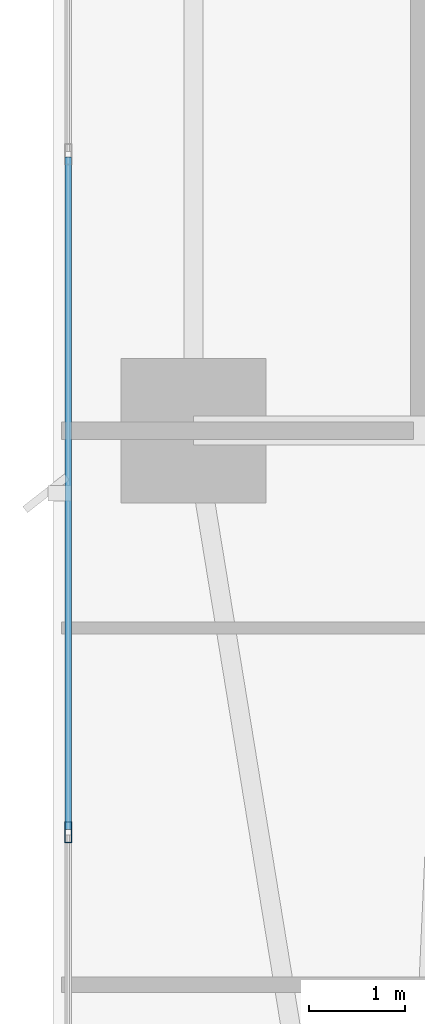
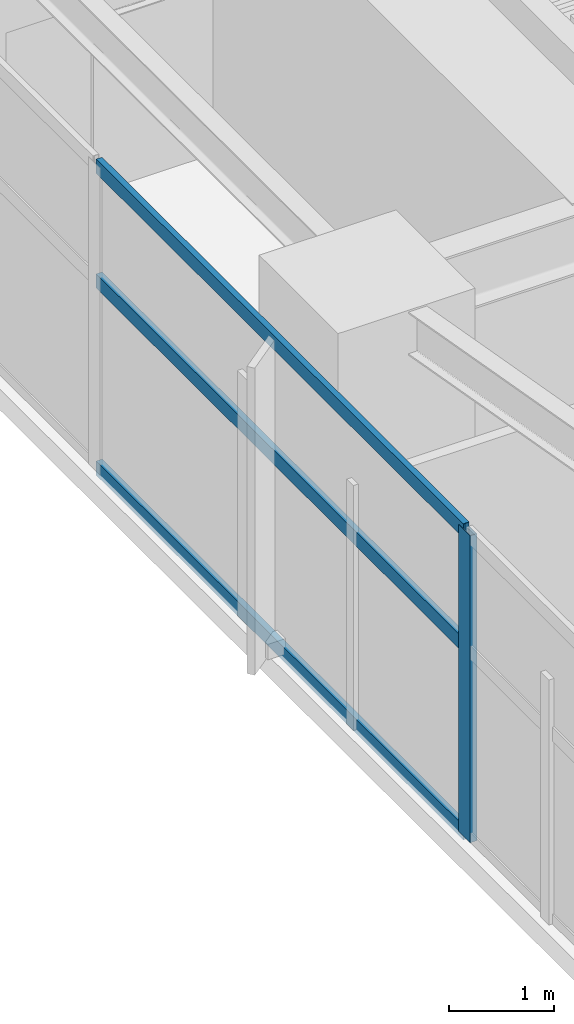
# One storey, part 4 of 29: 4 members, 1 element without a shape of its own.
"""IFC4 building model written with IfcOpenShell, lengths in metres."""

import ifcopenshell
import ifcopenshell.guid

model = None  # the IFC model being written
_history = None  # IfcOwnerHistory: only IFC2X3 demands one
_inside = {}  # id of a spatial element -> (the spatial element, [elements in it])
_under = {}  # id of a project, library or spatial element -> (it, [spatial elements below it])
_declared = {}  # id of a project -> (the project, [libraries it declares])
_typed = {}  # id of a type object -> (the type object, [elements of that type])
_made_of = {}  # id of a material, layer set ... -> (it, [elements and type objects made of it])


def new_model(schema):
    """Start an empty IFC model of exactly this schema.

    Asked for "IFC4X3", IfcOpenShell would pick the latest addendum, in which some entities
    have other attributes; the version numbers below select the first issue.
    IFC2X3 requires an IfcOwnerHistory on every rooted entity: one is made here for all.
    """
    global model, _history
    if schema == "IFC4X3":
        model = ifcopenshell.file(schema_version=(4, 3, 0, 0))
    else:
        model = ifcopenshell.file(schema=schema)
    _inside.clear()
    _under.clear()
    _declared.clear()
    _typed.clear()
    _made_of.clear()
    _history = None
    if model.schema == "IFC2X3":
        org = make("IfcOrganization", Name="unknown")
        user = make(
            "IfcPersonAndOrganization",
            ThePerson=make("IfcPerson", FamilyName="unknown"),
            TheOrganization=org,
        )
        app = make(
            "IfcApplication",
            ApplicationDeveloper=org,
            Version="unknown",
            ApplicationFullName="unknown",
            ApplicationIdentifier="unknown",
        )
        _history = make(
            "IfcOwnerHistory",
            OwningUser=user,
            OwningApplication=app,
            ChangeAction="ADDED",
            CreationDate=0,
        )
    return model


def make(cls, **values):
    """One entity of the class cls with the attributes given. An attribute that is None is left unset."""
    return model.create_entity(
        cls, **{name: value for name, value in values.items() if value is not None}
    )


def rooted(cls, **values):
    """An entity with a GlobalId (a new one), such as an element, a storey or a relation."""
    return make(cls, GlobalId=ifcopenshell.guid.new(), OwnerHistory=_history, **values)


def si_unit(unit_type, name, prefix=None):
    """IfcSIUnit, for example si_unit("LENGTHUNIT", "METRE", prefix="MILLI")."""
    return make("IfcSIUnit", UnitType=unit_type, Prefix=prefix, Name=name)


def assignment(units):
    """IfcUnitAssignment: the units of a project."""
    return None if units is None else make("IfcUnitAssignment", Units=units)


def point(xyz):
    """IfcCartesianPoint."""
    return None if xyz is None else make("IfcCartesianPoint", Coordinates=xyz)


def direction(xyz):
    """IfcDirection."""
    return None if xyz is None else make("IfcDirection", DirectionRatios=xyz)


def frame(location, z_axis=None, x_axis=None):
    """IfcAxis2Placement3D, a coordinate frame: its origin and axes. An axis left out is left unset."""
    return make(
        "IfcAxis2Placement3D",
        Location=point(location),
        Axis=direction(z_axis),
        RefDirection=direction(x_axis),
    )


def frame_2d(location, x_axis=None):
    """IfcAxis2Placement2D, a coordinate frame in the plane: its origin and x axis."""
    return make(
        "IfcAxis2Placement2D", Location=point(location), RefDirection=direction(x_axis)
    )


def origin():
    """The frame at (0, 0, 0) with its axes left unset."""
    return frame((0.0, 0.0, 0.0))


def origin_2d():
    """The frame at (0, 0) in the plane with its x axis left unset."""
    return frame_2d((0.0, 0.0))


def place(relative_to, where):
    """IfcLocalPlacement: puts the frame where relative to a parent placement (None: the world)."""
    return make(
        "IfcLocalPlacement", PlacementRelTo=relative_to, RelativePlacement=where
    )


def context(
    kind, dimensions, precision=None, world=None, true_north=None, identifier=None
):
    """IfcGeometricRepresentationContext, for example the 3D "Model" context."""
    return make(
        "IfcGeometricRepresentationContext",
        ContextIdentifier=identifier,
        ContextType=kind,
        CoordinateSpaceDimension=dimensions,
        Precision=precision,
        WorldCoordinateSystem=world,
        TrueNorth=true_north,
    )


def subcontext(parent, identifier, kind, view, scale=None):
    """IfcGeometricRepresentationSubContext, for example "Body" below "Model"."""
    return make(
        "IfcGeometricRepresentationSubContext",
        ContextIdentifier=identifier,
        ContextType=kind,
        ParentContext=parent,
        TargetScale=scale,
        TargetView=view,
    )


def project(units=None, contexts=None):
    """IfcProject with its units and contexts."""
    return rooted(
        "IfcProject",
        Name="project",
        RepresentationContexts=contexts,
        UnitsInContext=assignment(units),
    )


def spatial(cls, under=None, at=None, **own):
    """A site, building, storey or space (cls), placed at a placement, below another one or the project."""
    s = rooted(cls, ObjectPlacement=at, **own)
    if under is not None:
        _under.setdefault(under.id(), (under, []))[1].append(s)
    return s


def profile(cls, at=None, kind="AREA", **sizes):
    """A parametric profile (cls). Its sizes go by their IFC names, for example OverallWidth=200.0."""
    return make(cls, ProfileType=kind, Position=at, **sizes)


def hollow_rectangle(**sizes):
    """IfcRectangleHollowProfileDef."""
    return profile("IfcRectangleHollowProfileDef", **sizes)


def extrude(swept, where, along, depth):
    """IfcExtrudedAreaSolid: the profile swept, set in the frame where, extruded along a direction by depth."""
    return make(
        "IfcExtrudedAreaSolid",
        SweptArea=swept,
        Position=where,
        ExtrudedDirection=direction(along),
        Depth=depth,
    )


def shape(context_of_items, identifier, shape_type, items):
    """IfcShapeRepresentation: the items that make up one representation, for example the "Body"."""
    return make(
        "IfcShapeRepresentation",
        ContextOfItems=context_of_items,
        RepresentationIdentifier=identifier,
        RepresentationType=shape_type,
        Items=items,
    )


def material(Name=None, Category=None):
    """IfcMaterial."""
    return make("IfcMaterial", Name=Name, Category=Category)


def layer(
    of_material, thickness, ventilated=None, Name=None, Category=None, Priority=None
):
    """IfcMaterialLayer: one layer of a wall or slab, of a material (None: an air gap)."""
    return make(
        "IfcMaterialLayer",
        Material=of_material,
        LayerThickness=thickness,
        IsVentilated=ventilated,
        Name=Name,
        Category=Category,
        Priority=Priority,
    )


def layer_set(layers, Name=None):
    """IfcMaterialLayerSet."""
    return make("IfcMaterialLayerSet", MaterialLayers=layers, LayerSetName=Name)


def material_profile(
    of_material, cross_section, Name=None, Category=None, Priority=None
):
    """IfcMaterialProfile: a cross section and its material."""
    return make(
        "IfcMaterialProfile",
        Name=Name,
        Material=of_material,
        Profile=cross_section,
        Priority=Priority,
        Category=Category,
    )


def profile_set(profiles, Name=None, composite=None):
    """IfcMaterialProfileSet."""
    return make(
        "IfcMaterialProfileSet",
        Name=Name,
        MaterialProfiles=profiles,
        CompositeProfile=composite,
    )


def made_of(thing, what):
    """Note that an element or type object is made of a material, layer set ...; save() writes the relation."""
    if what is not None:
        _made_of.setdefault(what.id(), (what, []))[1].append(thing)
    return thing


def type_object(cls, material=None, **own):
    """A type object (cls), such as IfcWallType, which elements share."""
    return made_of(rooted(cls, **own), material)


def element(
    cls,
    number,
    at=None,
    inside=None,
    cuts=None,
    type_object=None,
    material=None,
    context=None,
    identifier="Body",
    shape_type=None,
    held_by="IfcProductDefinitionShape",
    body=None,
    shapes=None,
    **own,
):
    """One element of the class cls, such as IfcWall. Its Tag is "e" and its number.

    at: its placement. inside: the storey or other place that contains it. cuts: it is an
    opening in that element (IfcRelVoidsElement). A single representation is given by context,
    identifier, shape_type and body (its items); several are given by shapes. held_by: the class
    of the entity that holds the representations. save() writes the other relations.
    """
    e = rooted(cls, Tag="e%d" % number, ObjectPlacement=at, **own)
    if body is not None:
        shapes = [shape(context, identifier, shape_type, body)]
    if shapes is not None:
        e.Representation = make(held_by, Representations=shapes)
    if inside is not None:
        _inside.setdefault(inside.id(), (inside, []))[1].append(e)
    if cuts is not None:
        rooted(
            "IfcRelVoidsElement", RelatingBuildingElement=cuts, RelatedOpeningElement=e
        )
    if type_object is not None:
        _typed.setdefault(type_object.id(), (type_object, []))[1].append(e)
    return made_of(e, material)


def aggregate(whole, parts):
    """IfcRelAggregates: a whole, such as a stair, and the parts it consists of."""
    return rooted("IfcRelAggregates", RelatingObject=whole, RelatedObjects=parts)


def save(model, path):
    """Write the relations noted so far, then the file.

    IfcRelAggregates (storeys below a building ...), IfcRelContainedInSpatialStructure (elements
    in a storey), IfcRelDefinesByType, IfcRelAssociatesMaterial and IfcRelDeclares: one each for
    every whole, place, type object, material and project.
    """
    for whole, parts in _under.values():
        aggregate(whole, parts)
    for where, things in _inside.values():
        rooted(
            "IfcRelContainedInSpatialStructure",
            RelatedElements=things,
            RelatingStructure=where,
        )
    for kind, things in _typed.values():
        rooted("IfcRelDefinesByType", RelatedObjects=things, RelatingType=kind)
    for what, things in _made_of.values():
        rooted("IfcRelAssociatesMaterial", RelatedObjects=things, RelatingMaterial=what)
    for by, libraries in _declared.values():
        rooted("IfcRelDeclares", RelatingContext=by, RelatedDefinitions=libraries)
    model.write(path)


model = new_model("IFC4")

# Units and contexts
model_context = context("Model", 3, precision=1e-05, world=origin(), true_north=direction((0.0, 1.0)))
body_context = subcontext(model_context, "Body", "Model", "MODEL_VIEW")
ifc_project = project(units=[si_unit("LENGTHUNIT", "METRE"), si_unit("AREAUNIT", "SQUARE_METRE"), si_unit("VOLUMEUNIT", "CUBIC_METRE"), si_unit("PLANEANGLEUNIT", "RADIAN"), si_unit("MASSUNIT", "GRAM", prefix="KILO")], contexts=[model_context])

# Site, building, storey
site_placement = place(None, origin())
site = spatial("IfcSite", under=ifc_project, at=site_placement, CompositionType="ELEMENT")
building_placement = place(site_placement, origin())
building = spatial("IfcBuilding", under=site, at=building_placement, Name="Calvorn Quay Hotel", CompositionType="ELEMENT")
storey_placement = place(building_placement, frame((0.0, 0.0, 81.199951171875)))
storey = spatial("IfcBuildingStorey", under=building, at=storey_placement, Name="L19", CompositionType="ELEMENT", Elevation=81.199951171875)

# Curtain wall, members
ifc_material_1 = material(Name="Pale Anodised Aluminium and Low-E Glass", Category="aluminium")
ifc_layer = layer(ifc_material_1, 0.219970703125)
ifc_layer_set = layer_set([ifc_layer], Name="CW-SYS-Z1")
curtain_wall_type = type_object("IfcCurtainWallType", Name="CW-SYS-Z1", PredefinedType="NOTDEFINED", material=ifc_layer_set)
curtain_wall_placement = place(storey_placement, origin())
curtain_wall = element("IfcCurtainWall", 1, at=curtain_wall_placement, inside=storey, type_object=curtain_wall_type, Name="Tower West Curtain Wall (L19)", PredefinedType="NOTDEFINED")
ifc_material_2 = material(Name="Pale Anodised Aluminium 6063-T6", Category="aluminium")
ifc_material_profile_1 = material_profile(ifc_material_2, hollow_rectangle(XDim=0.074951171875, YDim=0.219970703125, WallThickness=0.00439453125, at=origin_2d()), Name="ALU-M220x75x4.5")
ifc_profile_set_1 = profile_set([ifc_material_profile_1], Name="Pale Anodised Aluminium 6063-T6")
member_type_1 = type_object("IfcMemberType", Name="CW-SYS-Z1-MUL", PredefinedType="MULLION", material=ifc_profile_set_1)
member_1_placement = place(storey_placement, frame((0.14990234375, 12.63330078125, 0.0), z_axis=(0.0, 0.0, 1.0), x_axis=(-1.0, 0.0, 0.0)))
member_1 = element("IfcMember", 2, at=member_1_placement, type_object=member_type_1, Name="CW-L19-W mullion 2", PredefinedType="MULLION", context=body_context, shape_type="SweptSolid", body=[
    extrude(hollow_rectangle(XDim=0.074951171875, YDim=0.219970703125, WallThickness=0.00439453125, at=origin_2d()), origin(), (0.0, 0.0, 1.0), 3.56005859375),
])
ifc_material_3 = material(Name="Pale Anodised Aluminium 6063-T6", Category="aluminium")
ifc_material_profile_2 = material_profile(ifc_material_3, hollow_rectangle(XDim=0.06494140625, YDim=0.1650390625, WallThickness=0.00341796875, at=origin_2d()), Name="ALU-T165x65x3.5")
ifc_profile_set_2 = profile_set([ifc_material_profile_2], Name="Pale Anodised Aluminium 6063-T6")
member_type_2 = type_object("IfcMemberType", Name="CW-SYS-Z1-TRN", PredefinedType="USERDEFINED", material=ifc_profile_set_2)
member_2_placement = place(storey_placement, frame((0.14990234375, 12.663330078125, 0.030029296875), z_axis=(0.0, 1.0, 0.0), x_axis=(-1.0, 0.0, 0.0)))
member_2 = element("IfcMember", 3, at=member_2_placement, type_object=member_type_2, Name="CW-L19-W transom 2.1", ObjectType="TRANSOM", PredefinedType="USERDEFINED", context=body_context, shape_type="SweptSolid", body=[
    extrude(hollow_rectangle(XDim=0.06494140625, YDim=0.1650390625, WallThickness=0.00341796875, at=origin_2d()), origin(), (0.0, 0.0, 1.0), 6.973388671875),
])
member_3_placement = place(storey_placement, frame((0.14990234375, 12.663330078125, 2.199951171875), z_axis=(0.0, 1.0, 0.0), x_axis=(-1.0, 0.0, 0.0)))
member_3 = element("IfcMember", 4, at=member_3_placement, type_object=member_type_2, Name="CW-L19-W transom 2.2", ObjectType="TRANSOM", PredefinedType="USERDEFINED", context=body_context, shape_type="SweptSolid", body=[
    extrude(hollow_rectangle(XDim=0.06494140625, YDim=0.1650390625, WallThickness=0.00341796875, at=origin_2d()), origin(), (0.0, 0.0, 1.0), 6.973388671875),
])
member_4_placement = place(storey_placement, frame((0.14990234375, 12.663330078125, 3.530029296875), z_axis=(0.0, 1.0, 0.0), x_axis=(-1.0, 0.0, 0.0)))
member_4 = element("IfcMember", 5, at=member_4_placement, type_object=member_type_2, Name="CW-L19-W transom 2.3", ObjectType="TRANSOM", PredefinedType="USERDEFINED", context=body_context, shape_type="SweptSolid", body=[
    extrude(hollow_rectangle(XDim=0.06494140625, YDim=0.1650390625, WallThickness=0.00341796875, at=origin_2d()), origin(), (0.0, 0.0, 1.0), 6.973388671875),
])
aggregate(curtain_wall, [member_1, member_2, member_3, member_4])

save(model, "model.ifc")
